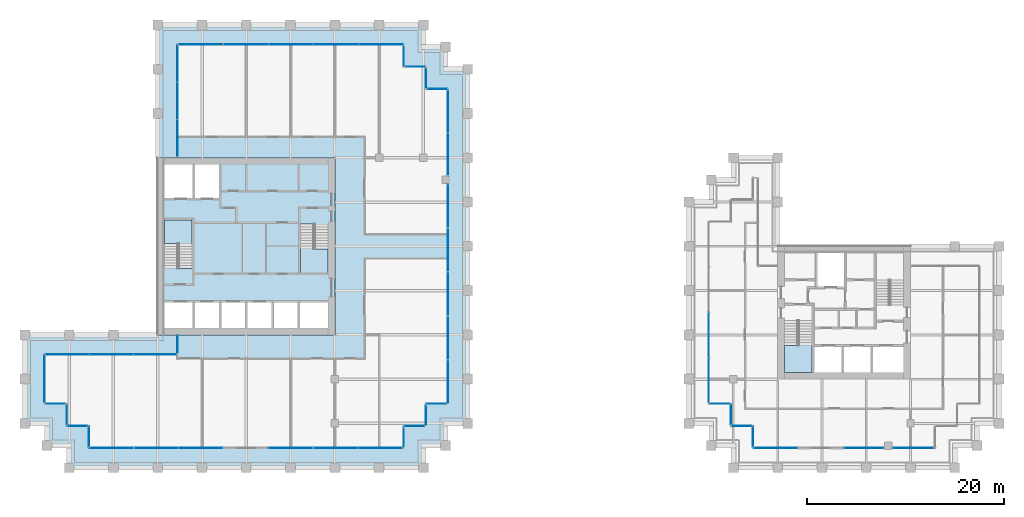
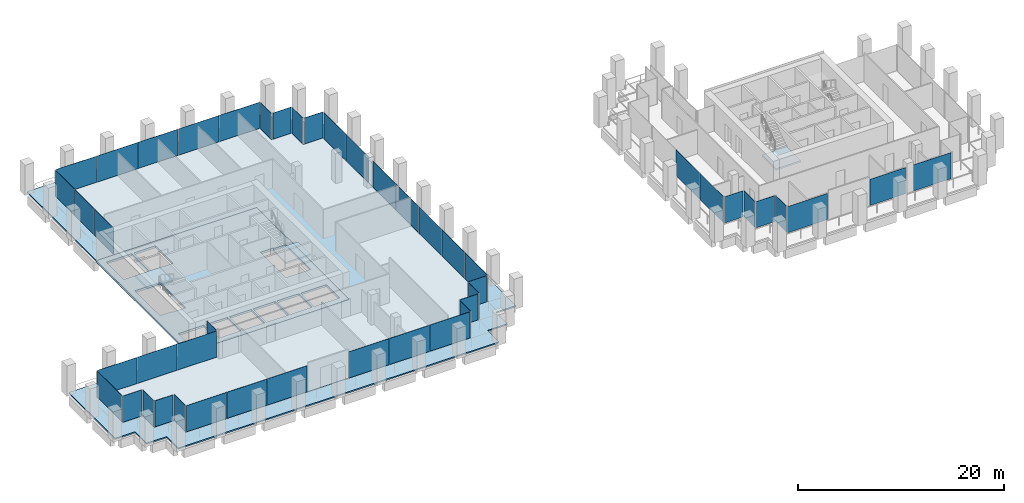
# One storey, part 39 of 46: 47 plates, 6 slabs, 32 elements without a shape of their own.
"""IFC4 building model written with IfcOpenShell, lengths in metres."""

from ifc_helpers import new_model, si_unit, direction, frame, origin, origin_2d, place, context, subcontext, project, spatial, polyline, rectangle, outline, extrude, material, layer, layer_set, type_object, element, aggregate, save


model = new_model("IFC4")

# Units and contexts
model_context = context("Model", 3, precision=1e-05, world=origin(), true_north=direction((0.0, 1.0)))
body_context = subcontext(model_context, "Body", "Model", "MODEL_VIEW")
ifc_project = project(units=[si_unit("LENGTHUNIT", "METRE"), si_unit("AREAUNIT", "SQUARE_METRE"), si_unit("VOLUMEUNIT", "CUBIC_METRE"), si_unit("PLANEANGLEUNIT", "RADIAN"), si_unit("MASSUNIT", "GRAM", prefix="KILO")], contexts=[model_context])

# Site, building, storey
site_placement = place(None, origin())
site = spatial("IfcSite", under=ifc_project, at=site_placement, CompositionType="ELEMENT")
building_placement = place(site_placement, origin())
building = spatial("IfcBuilding", under=site, at=building_placement, Name="Altepetl Exchange Towers", CompositionType="ELEMENT")
storey_placement = place(building_placement, frame((0.0, 0.0, 128.0)))
storey = spatial("IfcBuildingStorey", under=building, at=storey_placement, Name="L31", CompositionType="ELEMENT", Elevation=128.0)

# Slabs
ifc_material_1 = material(Name="Concrete C40/50", Category="concrete")
ifc_layer_1 = layer(ifc_material_1, 0.14990234375)
ifc_layer_set_1 = layer_set([ifc_layer_1], Name="Concrete C40/50")
slab_type_1 = type_object("IfcSlabType", Name="Composite floor slab 150", PredefinedType="FLOOR", material=ifc_layer_set_1)
slab_1_placement = place(storey_placement, frame((0.0, 0.0, -0.14990234375)))
element("IfcSlab", 1, at=slab_1_placement, inside=storey, type_object=slab_type_1, Name="slab:A:L31:strip0", PredefinedType="FLOOR", context=body_context, shape_type="SweptSolid", body=[
    extrude(outline(polyline([(42.5, 70.0), (42.5, 58.5), (58.5, 58.5), (58.5, 40.5), (42.5, 40.5), (42.5, 38.5), (29.0, 38.5), (29.0, 33.5), (31.25, 33.5), (31.25, 31.25), (33.5, 31.25), (33.5, 29.0), (65.5, 29.0), (65.5, 31.25), (67.75, 31.25), (67.75, 33.5), (70.0, 33.5), (70.0, 65.5), (67.75, 65.5), (67.75, 67.75), (65.5, 67.75), (65.5, 70.0), (42.5, 70.0)])), origin(), (0.0, 0.0, 1.0), 0.14990234375),
])
ifc_layer_2 = layer(ifc_material_1, 0.25)
ifc_layer_set_2 = layer_set([ifc_layer_2], Name="Concrete C40/50")
slab_type_2 = type_object("IfcSlabType", Name="Core floor slab 250", PredefinedType="FLOOR", material=ifc_layer_set_2)
slab_2_placement = place(storey_placement, frame((0.0, 0.0, -0.25)))
element("IfcSlab", 2, at=slab_2_placement, inside=storey, type_object=slab_type_2, Name="slab:A:L31:core0", PredefinedType="FLOOR", context=body_context, shape_type="SweptSolid", body=[
    extrude(outline(polyline([(40.5, 40.5), (58.5, 40.5), (58.5, 58.5), (40.5, 58.5), (40.5, 40.5)]), holes=[polyline([(41.199951171875, 43.800048828125), (44.06689453125, 43.800048828125), (44.06689453125, 41.199951171875), (41.199951171875, 41.199951171875), (41.199951171875, 43.800048828125)]), polyline([(44.26708984375, 43.800048828125), (46.73291015625, 43.800048828125), (46.73291015625, 41.199951171875), (44.26708984375, 41.199951171875), (44.26708984375, 43.800048828125)]), polyline([(46.93310546875, 43.800048828125), (49.39990234375, 43.800048828125), (49.39990234375, 41.199951171875), (46.93310546875, 41.199951171875), (46.93310546875, 43.800048828125)]), polyline([(52.06689453125, 43.800048828125), (52.06689453125, 41.199951171875), (49.60009765625, 41.199951171875), (49.60009765625, 43.800048828125), (52.06689453125, 43.800048828125)]), polyline([(54.73291015625, 43.800048828125), (54.73291015625, 41.199951171875), (52.26708984375, 41.199951171875), (52.26708984375, 43.800048828125), (54.73291015625, 43.800048828125)]), polyline([(54.93310546875, 43.800048828125), (57.800048828125, 43.800048828125), (57.800048828125, 41.199951171875), (54.93310546875, 41.199951171875), (54.93310546875, 43.800048828125)]), polyline([(55.0, 51.7490234375), (56.449951171875, 51.7490234375), (56.449951171875, 51.64990234375), (57.800048828125, 51.64990234375), (57.800048828125, 46.800048828125), (55.0, 46.800048828125), (55.0, 51.7490234375)]), polyline([(44.0, 47.2509765625), (42.550048828125, 47.2509765625), (42.550048828125, 47.35009765625), (41.199951171875, 47.35009765625), (41.199951171875, 52.199951171875), (44.0, 52.199951171875), (44.0, 47.2509765625)]), polyline([(44.06689453125, 57.800048828125), (44.06689453125, 54.39990234375), (41.199951171875, 54.39990234375), (41.199951171875, 57.800048828125), (44.06689453125, 57.800048828125)]), polyline([(46.73291015625, 57.800048828125), (46.73291015625, 54.39990234375), (44.26708984375, 54.39990234375), (44.26708984375, 57.800048828125), (46.73291015625, 57.800048828125)])]), origin(), (0.0, 0.0, 1.0), 0.25),
])

# Curtain wall, plate
ifc_material_2 = material(Name="Aluminium 6063-T6 glazing", Category="aluminium")
curtain_wall_type = type_object("IfcCurtainWallType", Name="Loggia glazing system", PredefinedType="NOTDEFINED", material=ifc_material_2)
curtain_wall_1_placement = place(storey_placement, origin())
curtain_wall_1 = element("IfcCurtainWall", 3, at=curtain_wall_1_placement, inside=storey, type_object=curtain_wall_type, Name="CW1 run", PredefinedType="NOTDEFINED")
ifc_material_3 = material(Name="Glass 6-16-6 low emissivity", Category="glass")
ifc_layer_3 = layer(ifc_material_3, 0.028076171875)
ifc_layer_set_3 = layer_set([ifc_layer_3], Name="Glass 6-16-6 low emissivity")
plate_type = type_object("IfcPlateType", Name="Glass panel 28 double glazed", PredefinedType="CURTAIN_PANEL", material=ifc_layer_set_3)
plate_1_placement = place(storey_placement, frame((42.5, 39.53759765625, 0.0), z_axis=(0.0, 0.0, 1.0), x_axis=(0.0, -1.0, 0.0)))
plate_1 = element("IfcPlate", 4, at=plate_1_placement, type_object=plate_type, Name="GP1 panel", PredefinedType="CURTAIN_PANEL", context=body_context, shape_type="SweptSolid", body=[
    extrude(rectangle(XDim=1.804931640625, YDim=0.028076171875, at=origin_2d()), origin(), (0.0, 0.0, 1.0), 3.10009765625),
])
aggregate(curtain_wall_1, [plate_1])

# Curtain wall, plates
curtain_wall_2_placement = place(storey_placement, origin())
curtain_wall_2 = element("IfcCurtainWall", 5, at=curtain_wall_2_placement, inside=storey, type_object=curtain_wall_type, Name="CW1 run", PredefinedType="NOTDEFINED")
plate_2_placement = place(storey_placement, frame((40.24755859375, 38.5, 0.0), z_axis=(0.0, 0.0, 1.0), x_axis=(-1.0, 0.0, 0.0)))
plate_2 = element("IfcPlate", 6, at=plate_2_placement, type_object=plate_type, Name="GP1 panel", PredefinedType="CURTAIN_PANEL", context=body_context, shape_type="SweptSolid", body=[
    extrude(rectangle(XDim=4.385009765625, YDim=0.028076171875, at=origin_2d()), origin(), (0.0, 0.0, 1.0), 3.10009765625),
])
plate_3_placement = place(storey_placement, frame((35.78759765625, 38.5, 0.0), z_axis=(0.0, 0.0, 1.0), x_axis=(-1.0, 0.0, 0.0)))
plate_3 = element("IfcPlate", 7, at=plate_3_placement, type_object=plate_type, Name="GP1 panel", PredefinedType="CURTAIN_PANEL", context=body_context, shape_type="SweptSolid", body=[
    extrude(rectangle(XDim=4.4150390625, YDim=0.028076171875, at=origin_2d()), origin(), (0.0, 0.0, 1.0), 3.10009765625),
])
plate_4_placement = place(storey_placement, frame((31.327392578125, 38.5, 0.0), z_axis=(0.0, 0.0, 1.0), x_axis=(-1.0, 0.0, 0.0)))
plate_4 = element("IfcPlate", 8, at=plate_4_placement, type_object=plate_type, Name="GP1 panel", PredefinedType="CURTAIN_PANEL", context=body_context, shape_type="SweptSolid", body=[
    extrude(rectangle(XDim=4.385009765625, YDim=0.028076171875, at=origin_2d()), origin(), (0.0, 0.0, 1.0), 3.10009765625),
])
aggregate(curtain_wall_2, [plate_2, plate_3, plate_4])

# Curtain wall, plate
curtain_wall_3_placement = place(storey_placement, origin())
curtain_wall_3 = element("IfcCurtainWall", 9, at=curtain_wall_3_placement, inside=storey, type_object=curtain_wall_type, Name="CW1 run", PredefinedType="NOTDEFINED")
plate_5_placement = place(storey_placement, frame((29.0, 36.03759765625, 0.0), z_axis=(0.0, 0.0, 1.0), x_axis=(0.0, -1.0, 0.0)))
plate_5 = element("IfcPlate", 10, at=plate_5_placement, type_object=plate_type, Name="GP1 panel", PredefinedType="CURTAIN_PANEL", context=body_context, shape_type="SweptSolid", body=[
    extrude(rectangle(XDim=4.804931640625, YDim=0.028076171875, at=origin_2d()), origin(), (0.0, 0.0, 1.0), 3.10009765625),
])
aggregate(curtain_wall_3, [plate_5])

curtain_wall_4_placement = place(storey_placement, origin())
curtain_wall_4 = element("IfcCurtainWall", 11, at=curtain_wall_4_placement, inside=storey, type_object=curtain_wall_type, Name="CW1 run", PredefinedType="NOTDEFINED")
plate_6_placement = place(storey_placement, frame((30.08740234375, 33.5, 0.0)))
plate_6 = element("IfcPlate", 12, at=plate_6_placement, type_object=plate_type, Name="GP1 panel", PredefinedType="CURTAIN_PANEL", context=body_context, shape_type="SweptSolid", body=[
    extrude(rectangle(XDim=2.054931640625, YDim=0.028076171875, at=origin_2d()), origin(), (0.0, 0.0, 1.0), 3.10009765625),
])
aggregate(curtain_wall_4, [plate_6])

curtain_wall_5_placement = place(storey_placement, origin())
curtain_wall_5 = element("IfcCurtainWall", 13, at=curtain_wall_5_placement, inside=storey, type_object=curtain_wall_type, Name="CW1 run", PredefinedType="NOTDEFINED")
plate_7_placement = place(storey_placement, frame((31.25, 32.41259765625, 0.0), z_axis=(0.0, 0.0, 1.0), x_axis=(0.0, -1.0, 0.0)))
plate_7 = element("IfcPlate", 14, at=plate_7_placement, type_object=plate_type, Name="GP1 panel", PredefinedType="CURTAIN_PANEL", context=body_context, shape_type="SweptSolid", body=[
    extrude(rectangle(XDim=2.054931640625, YDim=0.028076171875, at=origin_2d()), origin(), (0.0, 0.0, 1.0), 3.10009765625),
])
aggregate(curtain_wall_5, [plate_7])

curtain_wall_6_placement = place(storey_placement, origin())
curtain_wall_6 = element("IfcCurtainWall", 15, at=curtain_wall_6_placement, inside=storey, type_object=curtain_wall_type, Name="CW1 run", PredefinedType="NOTDEFINED")
plate_8_placement = place(storey_placement, frame((32.33740234375, 31.25, 0.0)))
plate_8 = element("IfcPlate", 16, at=plate_8_placement, type_object=plate_type, Name="GP1 panel", PredefinedType="CURTAIN_PANEL", context=body_context, shape_type="SweptSolid", body=[
    extrude(rectangle(XDim=2.054931640625, YDim=0.028076171875, at=origin_2d()), origin(), (0.0, 0.0, 1.0), 3.10009765625),
])
aggregate(curtain_wall_6, [plate_8])

curtain_wall_7_placement = place(storey_placement, origin())
curtain_wall_7 = element("IfcCurtainWall", 17, at=curtain_wall_7_placement, inside=storey, type_object=curtain_wall_type, Name="CW1 run", PredefinedType="NOTDEFINED")
plate_9_placement = place(storey_placement, frame((33.5, 30.16259765625, 0.0), z_axis=(0.0, 0.0, 1.0), x_axis=(0.0, -1.0, 0.0)))
plate_9 = element("IfcPlate", 18, at=plate_9_placement, type_object=plate_type, Name="GP1 panel", PredefinedType="CURTAIN_PANEL", context=body_context, shape_type="SweptSolid", body=[
    extrude(rectangle(XDim=2.054931640625, YDim=0.028076171875, at=origin_2d()), origin(), (0.0, 0.0, 1.0), 3.10009765625),
])
aggregate(curtain_wall_7, [plate_9])

# Curtain wall, plates
curtain_wall_8_placement = place(storey_placement, origin())
curtain_wall_8 = element("IfcCurtainWall", 19, at=curtain_wall_8_placement, inside=storey, type_object=curtain_wall_type, Name="CW1 run", PredefinedType="NOTDEFINED")
plate_10_placement = place(storey_placement, frame((35.79541015625, 29.0, 0.0)))
plate_10 = element("IfcPlate", 20, at=plate_10_placement, type_object=plate_type, Name="GP1 panel", PredefinedType="CURTAIN_PANEL", context=body_context, shape_type="SweptSolid", body=[
    extrude(rectangle(XDim=4.470703125, YDim=0.028076171875, at=origin_2d()), origin(), (0.0, 0.0, 1.0), 3.10009765625),
])
plate_11_placement = place(storey_placement, frame((40.341064453125, 29.0, 0.0)))
plate_11 = element("IfcPlate", 21, at=plate_11_placement, type_object=plate_type, Name="GP1 panel", PredefinedType="CURTAIN_PANEL", context=body_context, shape_type="SweptSolid", body=[
    extrude(rectangle(XDim=4.500732421875, YDim=0.028076171875, at=origin_2d()), origin(), (0.0, 0.0, 1.0), 3.10009765625),
])
plate_12_placement = place(storey_placement, frame((44.88671875, 29.0, 0.0)))
plate_12 = element("IfcPlate", 22, at=plate_12_placement, type_object=plate_type, Name="GP1 panel", PredefinedType="CURTAIN_PANEL", context=body_context, shape_type="SweptSolid", body=[
    extrude(rectangle(XDim=4.470703125, YDim=0.028076171875, at=origin_2d()), origin(), (0.0, 0.0, 1.0), 3.10009765625),
])
aggregate(curtain_wall_8, [plate_10, plate_11, plate_12])

curtain_wall_9_placement = place(storey_placement, origin())
curtain_wall_9 = element("IfcCurtainWall", 23, at=curtain_wall_9_placement, inside=storey, type_object=curtain_wall_type, Name="CW1 run", PredefinedType="NOTDEFINED")
plate_13_placement = place(storey_placement, frame((54.038330078125, 29.0, 0.0)))
plate_13 = element("IfcPlate", 24, at=plate_13_placement, type_object=plate_type, Name="GP1 panel", PredefinedType="CURTAIN_PANEL", context=body_context, shape_type="SweptSolid", body=[
    extrude(rectangle(XDim=4.470703125, YDim=0.028076171875, at=origin_2d()), origin(), (0.0, 0.0, 1.0), 3.10009765625),
])
plate_14_placement = place(storey_placement, frame((58.583984375, 29.0, 0.0)))
plate_14 = element("IfcPlate", 25, at=plate_14_placement, type_object=plate_type, Name="GP1 panel", PredefinedType="CURTAIN_PANEL", context=body_context, shape_type="SweptSolid", body=[
    extrude(rectangle(XDim=4.500732421875, YDim=0.028076171875, at=origin_2d()), origin(), (0.0, 0.0, 1.0), 3.10009765625),
])
plate_15_placement = place(storey_placement, frame((63.129638671875, 29.0, 0.0)))
plate_15 = element("IfcPlate", 26, at=plate_15_placement, type_object=plate_type, Name="GP1 panel", PredefinedType="CURTAIN_PANEL", context=body_context, shape_type="SweptSolid", body=[
    extrude(rectangle(XDim=4.470703125, YDim=0.028076171875, at=origin_2d()), origin(), (0.0, 0.0, 1.0), 3.10009765625),
])
aggregate(curtain_wall_9, [plate_13, plate_14, plate_15])

# Curtain wall, plate
curtain_wall_10_placement = place(storey_placement, origin())
curtain_wall_10 = element("IfcCurtainWall", 27, at=curtain_wall_10_placement, inside=storey, type_object=curtain_wall_type, Name="CW1 run", PredefinedType="NOTDEFINED")
plate_16_placement = place(storey_placement, frame((65.5, 30.08740234375, 0.0), z_axis=(0.0, 0.0, 1.0), x_axis=(0.0, 1.0, 0.0)))
plate_16 = element("IfcPlate", 28, at=plate_16_placement, type_object=plate_type, Name="GP1 panel", PredefinedType="CURTAIN_PANEL", context=body_context, shape_type="SweptSolid", body=[
    extrude(rectangle(XDim=2.054931640625, YDim=0.028076171875, at=origin_2d()), origin(), (0.0, 0.0, 1.0), 3.10009765625),
])
aggregate(curtain_wall_10, [plate_16])

curtain_wall_11_placement = place(storey_placement, origin())
curtain_wall_11 = element("IfcCurtainWall", 29, at=curtain_wall_11_placement, inside=storey, type_object=curtain_wall_type, Name="CW1 run", PredefinedType="NOTDEFINED")
plate_17_placement = place(storey_placement, frame((66.58740234375, 31.25, 0.0)))
plate_17 = element("IfcPlate", 30, at=plate_17_placement, type_object=plate_type, Name="GP1 panel", PredefinedType="CURTAIN_PANEL", context=body_context, shape_type="SweptSolid", body=[
    extrude(rectangle(XDim=2.054931640625, YDim=0.028076171875, at=origin_2d()), origin(), (0.0, 0.0, 1.0), 3.10009765625),
])
aggregate(curtain_wall_11, [plate_17])

curtain_wall_12_placement = place(storey_placement, origin())
curtain_wall_12 = element("IfcCurtainWall", 31, at=curtain_wall_12_placement, inside=storey, type_object=curtain_wall_type, Name="CW1 run", PredefinedType="NOTDEFINED")
plate_18_placement = place(storey_placement, frame((67.75, 32.33740234375, 0.0), z_axis=(0.0, 0.0, 1.0), x_axis=(0.0, 1.0, 0.0)))
plate_18 = element("IfcPlate", 32, at=plate_18_placement, type_object=plate_type, Name="GP1 panel", PredefinedType="CURTAIN_PANEL", context=body_context, shape_type="SweptSolid", body=[
    extrude(rectangle(XDim=2.054931640625, YDim=0.028076171875, at=origin_2d()), origin(), (0.0, 0.0, 1.0), 3.10009765625),
])
aggregate(curtain_wall_12, [plate_18])

curtain_wall_13_placement = place(storey_placement, origin())
curtain_wall_13 = element("IfcCurtainWall", 33, at=curtain_wall_13_placement, inside=storey, type_object=curtain_wall_type, Name="CW1 run", PredefinedType="NOTDEFINED")
plate_19_placement = place(storey_placement, frame((68.83740234375, 33.5, 0.0)))
plate_19 = element("IfcPlate", 34, at=plate_19_placement, type_object=plate_type, Name="GP1 panel", PredefinedType="CURTAIN_PANEL", context=body_context, shape_type="SweptSolid", body=[
    extrude(rectangle(XDim=2.054931640625, YDim=0.028076171875, at=origin_2d()), origin(), (0.0, 0.0, 1.0), 3.10009765625),
])
aggregate(curtain_wall_13, [plate_19])

# Curtain wall, plates
curtain_wall_14_placement = place(storey_placement, origin())
curtain_wall_14 = element("IfcCurtainWall", 35, at=curtain_wall_14_placement, inside=storey, type_object=curtain_wall_type, Name="CW1 run", PredefinedType="NOTDEFINED")
plate_20_placement = place(storey_placement, frame((70.0, 35.75048828125, 0.0), z_axis=(0.0, 0.0, 1.0), x_axis=(0.0, 1.0, 0.0)))
plate_20 = element("IfcPlate", 36, at=plate_20_placement, type_object=plate_type, Name="GP1 panel", PredefinedType="CURTAIN_PANEL", context=body_context, shape_type="SweptSolid", body=[
    extrude(rectangle(XDim=4.381103515625, YDim=0.028076171875, at=origin_2d()), origin(), (0.0, 0.0, 1.0), 3.10009765625),
])
plate_21_placement = place(storey_placement, frame((70.0, 40.20654296875, 0.0), z_axis=(0.0, 0.0, 1.0), x_axis=(0.0, 1.0, 0.0)))
plate_21 = element("IfcPlate", 37, at=plate_21_placement, type_object=plate_type, Name="GP1 panel", PredefinedType="CURTAIN_PANEL", context=body_context, shape_type="SweptSolid", body=[
    extrude(rectangle(XDim=4.410888671875, YDim=0.028076171875, at=origin_2d()), origin(), (0.0, 0.0, 1.0), 3.10009765625),
])
plate_22_placement = place(storey_placement, frame((70.0, 44.677490234375, 0.0), z_axis=(0.0, 0.0, 1.0), x_axis=(0.0, 1.0, 0.0)))
plate_22 = element("IfcPlate", 38, at=plate_22_placement, type_object=plate_type, Name="GP1 panel", PredefinedType="CURTAIN_PANEL", context=body_context, shape_type="SweptSolid", body=[
    extrude(rectangle(XDim=4.410888671875, YDim=0.028076171875, at=origin_2d()), origin(), (0.0, 0.0, 1.0), 3.10009765625),
])
plate_23_placement = place(storey_placement, frame((70.0, 49.1484375, 0.0), z_axis=(0.0, 0.0, 1.0), x_axis=(0.0, 1.0, 0.0)))
plate_23 = element("IfcPlate", 39, at=plate_23_placement, type_object=plate_type, Name="GP1 panel", PredefinedType="CURTAIN_PANEL", context=body_context, shape_type="SweptSolid", body=[
    extrude(rectangle(XDim=4.410888671875, YDim=0.028076171875, at=origin_2d()), origin(), (0.0, 0.0, 1.0), 3.10009765625),
])
plate_24_placement = place(storey_placement, frame((70.0, 53.6044921875, 0.0), z_axis=(0.0, 0.0, 1.0), x_axis=(0.0, 1.0, 0.0)))
plate_24 = element("IfcPlate", 40, at=plate_24_placement, type_object=plate_type, Name="GP1 panel", PredefinedType="CURTAIN_PANEL", context=body_context, shape_type="SweptSolid", body=[
    extrude(rectangle(XDim=4.381103515625, YDim=0.028076171875, at=origin_2d()), origin(), (0.0, 0.0, 1.0), 3.10009765625),
])
aggregate(curtain_wall_14, [plate_20, plate_21, plate_22, plate_23, plate_24])

curtain_wall_15_placement = place(storey_placement, origin())
curtain_wall_15 = element("IfcCurtainWall", 41, at=curtain_wall_15_placement, inside=storey, type_object=curtain_wall_type, Name="CW1 run", PredefinedType="NOTDEFINED")
plate_25_placement = place(storey_placement, frame((70.0, 58.85498046875, 0.0), z_axis=(0.0, 0.0, 1.0), x_axis=(0.0, 1.0, 0.0)))
plate_25 = element("IfcPlate", 42, at=plate_25_placement, type_object=plate_type, Name="GP1 panel", PredefinedType="CURTAIN_PANEL", context=body_context, shape_type="SweptSolid", body=[
    extrude(rectangle(XDim=4.300048828125, YDim=0.028076171875, at=origin_2d()), origin(), (0.0, 0.0, 1.0), 3.10009765625),
])
plate_26_placement = place(storey_placement, frame((70.0, 63.215087890625, 0.0), z_axis=(0.0, 0.0, 1.0), x_axis=(0.0, 1.0, 0.0)))
plate_26 = element("IfcPlate", 43, at=plate_26_placement, type_object=plate_type, Name="GP1 panel", PredefinedType="CURTAIN_PANEL", context=body_context, shape_type="SweptSolid", body=[
    extrude(rectangle(XDim=4.300048828125, YDim=0.028076171875, at=origin_2d()), origin(), (0.0, 0.0, 1.0), 3.10009765625),
])
aggregate(curtain_wall_15, [plate_25, plate_26])

# Curtain wall, plate
curtain_wall_16_placement = place(storey_placement, origin())
curtain_wall_16 = element("IfcCurtainWall", 44, at=curtain_wall_16_placement, inside=storey, type_object=curtain_wall_type, Name="CW1 run", PredefinedType="NOTDEFINED")
plate_27_placement = place(storey_placement, frame((68.91259765625, 65.5, 0.0), z_axis=(0.0, 0.0, 1.0), x_axis=(-1.0, 0.0, 0.0)))
plate_27 = element("IfcPlate", 45, at=plate_27_placement, type_object=plate_type, Name="GP1 panel", PredefinedType="CURTAIN_PANEL", context=body_context, shape_type="SweptSolid", body=[
    extrude(rectangle(XDim=2.054931640625, YDim=0.028076171875, at=origin_2d()), origin(), (0.0, 0.0, 1.0), 3.10009765625),
])
aggregate(curtain_wall_16, [plate_27])

curtain_wall_17_placement = place(storey_placement, origin())
curtain_wall_17 = element("IfcCurtainWall", 46, at=curtain_wall_17_placement, inside=storey, type_object=curtain_wall_type, Name="CW1 run", PredefinedType="NOTDEFINED")
plate_28_placement = place(storey_placement, frame((67.75, 66.58740234375, 0.0), z_axis=(0.0, 0.0, 1.0), x_axis=(0.0, 1.0, 0.0)))
plate_28 = element("IfcPlate", 47, at=plate_28_placement, type_object=plate_type, Name="GP1 panel", PredefinedType="CURTAIN_PANEL", context=body_context, shape_type="SweptSolid", body=[
    extrude(rectangle(XDim=2.054931640625, YDim=0.028076171875, at=origin_2d()), origin(), (0.0, 0.0, 1.0), 3.10009765625),
])
aggregate(curtain_wall_17, [plate_28])

curtain_wall_18_placement = place(storey_placement, origin())
curtain_wall_18 = element("IfcCurtainWall", 48, at=curtain_wall_18_placement, inside=storey, type_object=curtain_wall_type, Name="CW1 run", PredefinedType="NOTDEFINED")
plate_29_placement = place(storey_placement, frame((66.66259765625, 67.75, 0.0), z_axis=(0.0, 0.0, 1.0), x_axis=(-1.0, 0.0, 0.0)))
plate_29 = element("IfcPlate", 49, at=plate_29_placement, type_object=plate_type, Name="GP1 panel", PredefinedType="CURTAIN_PANEL", context=body_context, shape_type="SweptSolid", body=[
    extrude(rectangle(XDim=2.054931640625, YDim=0.028076171875, at=origin_2d()), origin(), (0.0, 0.0, 1.0), 3.10009765625),
])
aggregate(curtain_wall_18, [plate_29])

curtain_wall_19_placement = place(storey_placement, origin())
curtain_wall_19 = element("IfcCurtainWall", 50, at=curtain_wall_19_placement, inside=storey, type_object=curtain_wall_type, Name="CW1 run", PredefinedType="NOTDEFINED")
plate_30_placement = place(storey_placement, frame((65.5, 68.83740234375, 0.0), z_axis=(0.0, 0.0, 1.0), x_axis=(0.0, 1.0, 0.0)))
plate_30 = element("IfcPlate", 51, at=plate_30_placement, type_object=plate_type, Name="GP1 panel", PredefinedType="CURTAIN_PANEL", context=body_context, shape_type="SweptSolid", body=[
    extrude(rectangle(XDim=2.054931640625, YDim=0.028076171875, at=origin_2d()), origin(), (0.0, 0.0, 1.0), 3.10009765625),
])
aggregate(curtain_wall_19, [plate_30])

# Curtain wall, plates
curtain_wall_20_placement = place(storey_placement, origin())
curtain_wall_20 = element("IfcCurtainWall", 52, at=curtain_wall_20_placement, inside=storey, type_object=curtain_wall_type, Name="CW1 run", PredefinedType="NOTDEFINED")
plate_31_placement = place(storey_placement, frame((63.1923828125, 70.0, 0.0), z_axis=(0.0, 0.0, 1.0), x_axis=(-1.0, 0.0, 0.0)))
plate_31 = element("IfcPlate", 53, at=plate_31_placement, type_object=plate_type, Name="GP1 panel", PredefinedType="CURTAIN_PANEL", context=body_context, shape_type="SweptSolid", body=[
    extrude(rectangle(XDim=4.4951171875, YDim=0.028076171875, at=origin_2d()), origin(), (0.0, 0.0, 1.0), 3.10009765625),
])
plate_32_placement = place(storey_placement, frame((58.62255859375, 70.0, 0.0), z_axis=(0.0, 0.0, 1.0), x_axis=(-1.0, 0.0, 0.0)))
plate_32 = element("IfcPlate", 54, at=plate_32_placement, type_object=plate_type, Name="GP1 panel", PredefinedType="CURTAIN_PANEL", context=body_context, shape_type="SweptSolid", body=[
    extrude(rectangle(XDim=4.52490234375, YDim=0.028076171875, at=origin_2d()), origin(), (0.0, 0.0, 1.0), 3.10009765625),
])
plate_33_placement = place(storey_placement, frame((54.03759765625, 70.0, 0.0), z_axis=(0.0, 0.0, 1.0), x_axis=(-1.0, 0.0, 0.0)))
plate_33 = element("IfcPlate", 55, at=plate_33_placement, type_object=plate_type, Name="GP1 panel", PredefinedType="CURTAIN_PANEL", context=body_context, shape_type="SweptSolid", body=[
    extrude(rectangle(XDim=4.52490234375, YDim=0.028076171875, at=origin_2d()), origin(), (0.0, 0.0, 1.0), 3.10009765625),
])
plate_34_placement = place(storey_placement, frame((49.452392578125, 70.0, 0.0), z_axis=(0.0, 0.0, 1.0), x_axis=(-1.0, 0.0, 0.0)))
plate_34 = element("IfcPlate", 56, at=plate_34_placement, type_object=plate_type, Name="GP1 panel", PredefinedType="CURTAIN_PANEL", context=body_context, shape_type="SweptSolid", body=[
    extrude(rectangle(XDim=4.52490234375, YDim=0.028076171875, at=origin_2d()), origin(), (0.0, 0.0, 1.0), 3.10009765625),
])
plate_35_placement = place(storey_placement, frame((44.882568359375, 70.0, 0.0), z_axis=(0.0, 0.0, 1.0), x_axis=(-1.0, 0.0, 0.0)))
plate_35 = element("IfcPlate", 57, at=plate_35_placement, type_object=plate_type, Name="GP1 panel", PredefinedType="CURTAIN_PANEL", context=body_context, shape_type="SweptSolid", body=[
    extrude(rectangle(XDim=4.4951171875, YDim=0.028076171875, at=origin_2d()), origin(), (0.0, 0.0, 1.0), 3.10009765625),
])
aggregate(curtain_wall_20, [plate_31, plate_32, plate_33, plate_34, plate_35])

curtain_wall_21_placement = place(storey_placement, origin())
curtain_wall_21 = element("IfcCurtainWall", 58, at=curtain_wall_21_placement, inside=storey, type_object=curtain_wall_type, Name="CW1 run", PredefinedType="NOTDEFINED")
plate_36_placement = place(storey_placement, frame((42.5, 68.080810546875, 0.0), z_axis=(0.0, 0.0, 1.0), x_axis=(0.0, -1.0, 0.0)))
plate_36 = element("IfcPlate", 59, at=plate_36_placement, type_object=plate_type, Name="GP1 panel", PredefinedType="CURTAIN_PANEL", context=body_context, shape_type="SweptSolid", body=[
    extrude(rectangle(XDim=3.71826171875, YDim=0.028076171875, at=origin_2d()), origin(), (0.0, 0.0, 1.0), 3.10009765625),
])
plate_37_placement = place(storey_placement, frame((42.5, 64.28759765625, 0.0), z_axis=(0.0, 0.0, 1.0), x_axis=(0.0, -1.0, 0.0)))
plate_37 = element("IfcPlate", 60, at=plate_37_placement, type_object=plate_type, Name="GP1 panel", PredefinedType="CURTAIN_PANEL", context=body_context, shape_type="SweptSolid", body=[
    extrude(rectangle(XDim=3.748291015625, YDim=0.028076171875, at=origin_2d()), origin(), (0.0, 0.0, 1.0), 3.10009765625),
])
plate_38_placement = place(storey_placement, frame((42.5, 60.494140625, 0.0), z_axis=(0.0, 0.0, 1.0), x_axis=(0.0, -1.0, 0.0)))
plate_38 = element("IfcPlate", 61, at=plate_38_placement, type_object=plate_type, Name="GP1 panel", PredefinedType="CURTAIN_PANEL", context=body_context, shape_type="SweptSolid", body=[
    extrude(rectangle(XDim=3.71826171875, YDim=0.028076171875, at=origin_2d()), origin(), (0.0, 0.0, 1.0), 3.10009765625),
])
aggregate(curtain_wall_21, [plate_36, plate_37, plate_38])

curtain_wall_22_placement = place(storey_placement, origin())
curtain_wall_22 = element("IfcCurtainWall", 62, at=curtain_wall_22_placement, inside=storey, type_object=curtain_wall_type, Name="CW1 run", PredefinedType="NOTDEFINED")
plate_39_placement = place(storey_placement, frame((96.5, 40.484375, 0.0), z_axis=(0.0, 0.0, 1.0), x_axis=(0.0, -1.0, 0.0)))
plate_39 = element("IfcPlate", 63, at=plate_39_placement, type_object=plate_type, Name="GP1 panel", PredefinedType="CURTAIN_PANEL", context=body_context, shape_type="SweptSolid", body=[
    extrude(rectangle(XDim=4.546142578125, YDim=0.028076171875, at=origin_2d()), origin(), (0.0, 0.0, 1.0), 3.10009765625),
])
plate_40_placement = place(storey_placement, frame((96.5, 35.89306640625, 0.0), z_axis=(0.0, 0.0, 1.0), x_axis=(0.0, -1.0, 0.0)))
plate_40 = element("IfcPlate", 64, at=plate_40_placement, type_object=plate_type, Name="GP1 panel", PredefinedType="CURTAIN_PANEL", context=body_context, shape_type="SweptSolid", body=[
    extrude(rectangle(XDim=4.516357421875, YDim=0.028076171875, at=origin_2d()), origin(), (0.0, 0.0, 1.0), 3.10009765625),
])
aggregate(curtain_wall_22, [plate_39, plate_40])

# Curtain wall, plate
curtain_wall_23_placement = place(storey_placement, origin())
curtain_wall_23 = element("IfcCurtainWall", 65, at=curtain_wall_23_placement, inside=storey, type_object=curtain_wall_type, Name="CW1 run", PredefinedType="NOTDEFINED")
plate_41_placement = place(storey_placement, frame((97.58740234375, 33.5, 0.0)))
plate_41 = element("IfcPlate", 66, at=plate_41_placement, type_object=plate_type, Name="GP1 panel", PredefinedType="CURTAIN_PANEL", context=body_context, shape_type="SweptSolid", body=[
    extrude(rectangle(XDim=2.054931640625, YDim=0.028076171875, at=origin_2d()), origin(), (0.0, 0.0, 1.0), 3.10009765625),
])
aggregate(curtain_wall_23, [plate_41])

curtain_wall_24_placement = place(storey_placement, origin())
curtain_wall_24 = element("IfcCurtainWall", 67, at=curtain_wall_24_placement, inside=storey, type_object=curtain_wall_type, Name="CW1 run", PredefinedType="NOTDEFINED")
plate_42_placement = place(storey_placement, frame((98.75, 32.41259765625, 0.0), z_axis=(0.0, 0.0, 1.0), x_axis=(0.0, -1.0, 0.0)))
plate_42 = element("IfcPlate", 68, at=plate_42_placement, type_object=plate_type, Name="GP1 panel", PredefinedType="CURTAIN_PANEL", context=body_context, shape_type="SweptSolid", body=[
    extrude(rectangle(XDim=2.054931640625, YDim=0.028076171875, at=origin_2d()), origin(), (0.0, 0.0, 1.0), 3.10009765625),
])
aggregate(curtain_wall_24, [plate_42])

curtain_wall_25_placement = place(storey_placement, origin())
curtain_wall_25 = element("IfcCurtainWall", 69, at=curtain_wall_25_placement, inside=storey, type_object=curtain_wall_type, Name="CW1 run", PredefinedType="NOTDEFINED")
plate_43_placement = place(storey_placement, frame((99.83740234375, 31.25, 0.0)))
plate_43 = element("IfcPlate", 70, at=plate_43_placement, type_object=plate_type, Name="GP1 panel", PredefinedType="CURTAIN_PANEL", context=body_context, shape_type="SweptSolid", body=[
    extrude(rectangle(XDim=2.054931640625, YDim=0.028076171875, at=origin_2d()), origin(), (0.0, 0.0, 1.0), 3.10009765625),
])
aggregate(curtain_wall_25, [plate_43])

curtain_wall_26_placement = place(storey_placement, origin())
curtain_wall_26 = element("IfcCurtainWall", 71, at=curtain_wall_26_placement, inside=storey, type_object=curtain_wall_type, Name="CW1 run", PredefinedType="NOTDEFINED")
plate_44_placement = place(storey_placement, frame((101.0, 30.16259765625, 0.0), z_axis=(0.0, 0.0, 1.0), x_axis=(0.0, -1.0, 0.0)))
plate_44 = element("IfcPlate", 72, at=plate_44_placement, type_object=plate_type, Name="GP1 panel", PredefinedType="CURTAIN_PANEL", context=body_context, shape_type="SweptSolid", body=[
    extrude(rectangle(XDim=2.054931640625, YDim=0.028076171875, at=origin_2d()), origin(), (0.0, 0.0, 1.0), 3.10009765625),
])
aggregate(curtain_wall_26, [plate_44])

curtain_wall_27_placement = place(storey_placement, origin())
curtain_wall_27 = element("IfcCurtainWall", 73, at=curtain_wall_27_placement, inside=storey, type_object=curtain_wall_type, Name="CW1 run", PredefinedType="NOTDEFINED")
plate_45_placement = place(storey_placement, frame((103.30322265625, 29.0, 0.0)))
plate_45 = element("IfcPlate", 74, at=plate_45_placement, type_object=plate_type, Name="GP1 panel", PredefinedType="CURTAIN_PANEL", context=body_context, shape_type="SweptSolid", body=[
    extrude(rectangle(XDim=4.486328125, YDim=0.028076171875, at=origin_2d()), origin(), (0.0, 0.0, 1.0), 3.10009765625),
])
aggregate(curtain_wall_27, [plate_45])

curtain_wall_28_placement = place(storey_placement, origin())
curtain_wall_28 = element("IfcCurtainWall", 75, at=curtain_wall_28_placement, inside=storey, type_object=curtain_wall_type, Name="CW1 run", PredefinedType="NOTDEFINED")
plate_46_placement = place(storey_placement, frame((112.28369140625, 29.0, 0.0)))
plate_46 = element("IfcPlate", 76, at=plate_46_placement, type_object=plate_type, Name="GP1 panel", PredefinedType="CURTAIN_PANEL", context=body_context, shape_type="SweptSolid", body=[
    extrude(rectangle(XDim=4.0224609375, YDim=0.028076171875, at=origin_2d()), origin(), (0.0, 0.0, 1.0), 3.10009765625),
])
aggregate(curtain_wall_28, [plate_46])

curtain_wall_29_placement = place(storey_placement, origin())
curtain_wall_29 = element("IfcCurtainWall", 77, at=curtain_wall_29_placement, inside=storey, type_object=curtain_wall_type, Name="CW1 run", PredefinedType="NOTDEFINED")
plate_47_placement = place(storey_placement, frame((117.284912109375, 29.0, 0.0)))
plate_47 = element("IfcPlate", 78, at=plate_47_placement, type_object=plate_type, Name="GP1 panel", PredefinedType="CURTAIN_PANEL", context=body_context, shape_type="SweptSolid", body=[
    extrude(rectangle(XDim=4.159912109375, YDim=0.028076171875, at=origin_2d()), origin(), (0.0, 0.0, 1.0), 3.10009765625),
])
aggregate(curtain_wall_29, [plate_47])

# Slab
ifc_layer_4 = layer(ifc_material_1, 0.14990234375)
ifc_layer_set_4 = layer_set([ifc_layer_4], Name="Concrete C40/50")
slab_type_3 = type_object("IfcSlabType", Name="Loggia slab 150", PredefinedType="FLOOR", material=ifc_layer_set_4)
slab_3_placement = place(storey_placement, frame((0.0, 0.0, -0.14990234375)))
element("IfcSlab", 79, at=slab_3_placement, inside=storey, type_object=slab_type_3, Name="slab:A:L31:loggia0", PredefinedType="FLOOR", context=body_context, shape_type="SweptSolid", body=[
    extrude(outline(polyline([(40.5, 72.0), (40.5, 58.5), (42.5, 58.5), (42.5, 70.0), (65.5, 70.0), (65.5, 67.75), (67.75, 67.75), (67.75, 65.5), (70.0, 65.5), (70.0, 33.5), (67.75, 33.5), (67.75, 31.25), (65.5, 31.25), (65.5, 29.0), (33.5, 29.0), (33.5, 31.25), (31.25, 31.25), (31.25, 33.5), (29.0, 33.5), (29.0, 38.5), (42.5, 38.5), (42.5, 40.5), (40.5, 40.5), (27.0, 40.5), (27.0, 31.5), (29.25, 31.5), (29.25, 29.25), (31.5, 29.25), (31.5, 27.0), (58.5, 27.0), (67.5, 27.0), (67.5, 29.25), (69.75, 29.25), (69.75, 31.5), (72.0, 31.5), (72.0, 58.5), (72.0, 67.5), (69.75, 67.5), (69.75, 69.75), (67.5, 69.75), (67.5, 72.0), (40.5, 72.0)])), origin(), (0.0, 0.0, 1.0), 0.14990234375),
])

# Stair, slab
stair_type = type_object("IfcStairType", Name="Exit stair 1350 flights dogleg", PredefinedType="HALF_TURN_STAIR", material=ifc_material_1)
stair_1_placement = place(storey_placement, origin())
stair_1 = element("IfcStair", 80, at=stair_1_placement, inside=storey, type_object=stair_type, Name="Exit stair 1", PredefinedType="HALF_TURN_STAIR")
ifc_layer_5 = layer(ifc_material_1, 0.199951171875)
ifc_layer_set_5 = layer_set([ifc_layer_5], Name="Concrete C40/50")
slab_type_4 = type_object("IfcSlabType", Name="Stair landing 200 reinforced concrete", PredefinedType="LANDING", material=ifc_layer_set_5)
slab_4_placement = place(storey_placement, frame((0.0, 0.0, 1.60009765625)))
slab_4 = element("IfcSlab", 81, at=slab_4_placement, type_object=slab_type_4, Name="ST-A1d landing 1", PredefinedType="LANDING", context=body_context, shape_type="SweptSolid", body=[
    extrude(outline(polyline([(44.0, 49.669921875), (42.64990234375, 49.669921875), (42.64990234375, 49.77001953125), (42.550048828125, 49.77001953125), (42.550048828125, 49.769287109375), (41.199951171875, 49.769287109375), (41.199951171875, 49.77001953125), (41.199951171875, 52.199951171875), (44.0, 52.199951171875), (44.0, 49.77001953125), (44.0, 49.669921875)])), origin(), (0.0, 0.0, 1.0), 0.199951171875),
])
aggregate(stair_1, [slab_4])

stair_2_placement = place(storey_placement, origin())
stair_2 = element("IfcStair", 82, at=stair_2_placement, inside=storey, type_object=stair_type, Name="Exit stair 2", PredefinedType="HALF_TURN_STAIR")
slab_5_placement = place(storey_placement, frame((0.0, 0.0, 1.60009765625)))
slab_5 = element("IfcSlab", 83, at=slab_5_placement, type_object=slab_type_4, Name="ST-A2d landing 1", PredefinedType="LANDING", context=body_context, shape_type="SweptSolid", body=[
    extrude(outline(polyline([(57.800048828125, 46.800048828125), (55.0, 46.800048828125), (55.0, 49.22998046875), (55.0, 49.330078125), (56.35009765625, 49.330078125), (56.35009765625, 49.22998046875), (56.449951171875, 49.22998046875), (56.449951171875, 49.230712890625), (57.800048828125, 49.230712890625), (57.800048828125, 49.22998046875), (57.800048828125, 46.800048828125)])), origin(), (0.0, 0.0, 1.0), 0.199951171875),
])
aggregate(stair_2, [slab_5])

stair_3_placement = place(storey_placement, origin())
stair_3 = element("IfcStair", 84, at=stair_3_placement, inside=storey, type_object=stair_type, Name="Exit stair 1", PredefinedType="HALF_TURN_STAIR")
slab_6_placement = place(storey_placement, frame((0.0, 0.0, 1.60009765625)))
slab_6 = element("IfcSlab", 85, at=slab_6_placement, type_object=slab_type_4, Name="ST-B1d landing 1", PredefinedType="LANDING", context=body_context, shape_type="SweptSolid", body=[
    extrude(outline(polyline([(107.0, 36.699951171875), (104.199951171875, 36.699951171875), (104.199951171875, 39.429931640625), (104.199951171875, 39.4306640625), (105.550048828125, 39.4306640625), (105.550048828125, 39.429931640625), (105.64990234375, 39.429931640625), (105.64990234375, 39.530029296875), (107.0, 39.530029296875), (107.0, 39.429931640625), (107.0, 36.699951171875)])), origin(), (0.0, 0.0, 1.0), 0.199951171875),
])
aggregate(stair_3, [slab_6])

save(model, "model.ifc")
